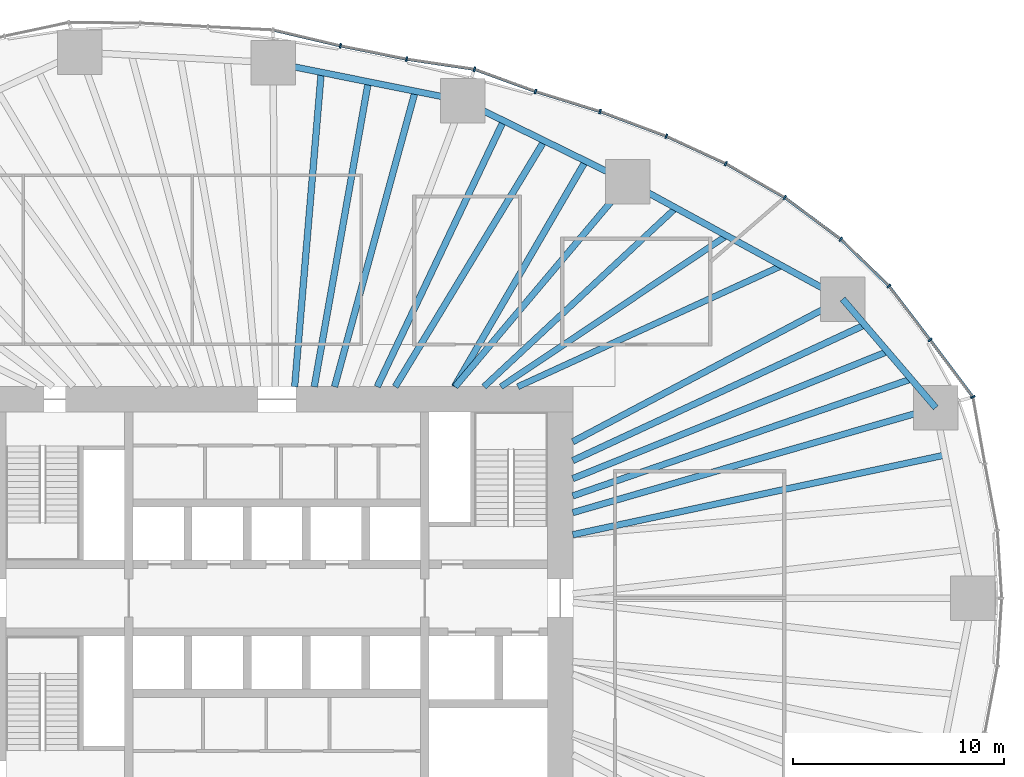
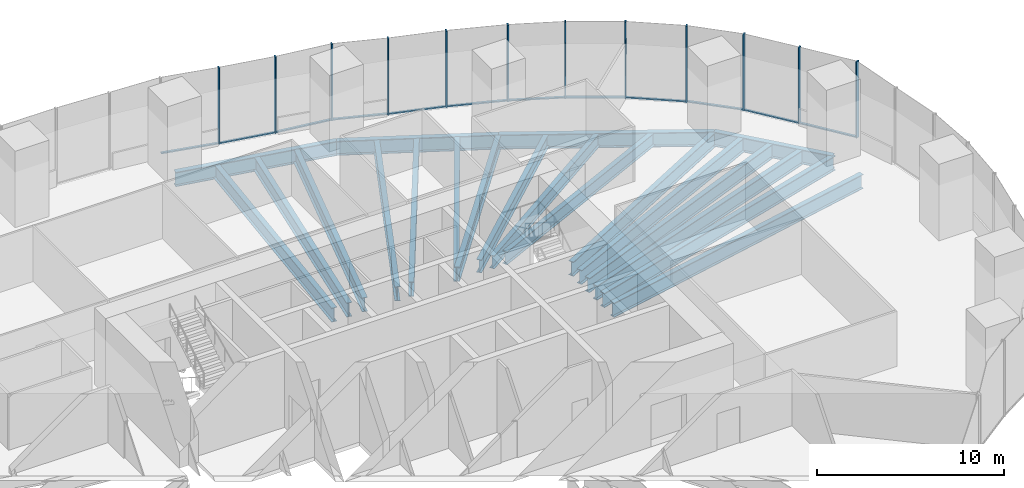
# One storey, part 6 of 20: 24 members, 20 beams, 4 elements without a shape of their own.
"""IFC4 building model written with IfcOpenShell, lengths in metres."""

from ifc_helpers import new_model, si_unit, direction, frame, origin, origin_2d, place, context, subcontext, project, spatial, rectangle, i_section, extrude, material, material_profile, profile_set, type_object, element, aggregate, save


model = new_model("IFC4")

# Units and contexts
model_context = context("Model", 3, precision=1e-05, world=origin(), true_north=direction((0.0, 1.0)))
body_context = subcontext(model_context, "Body", "Model", "MODEL_VIEW")
ifc_project = project(units=[si_unit("LENGTHUNIT", "METRE"), si_unit("AREAUNIT", "SQUARE_METRE"), si_unit("VOLUMEUNIT", "CUBIC_METRE"), si_unit("PLANEANGLEUNIT", "RADIAN"), si_unit("MASSUNIT", "GRAM", prefix="KILO")], contexts=[model_context])

# Site, building, storey
site_placement = place(None, origin())
site = spatial("IfcSite", under=ifc_project, at=site_placement, CompositionType="ELEMENT")
building_placement = place(site_placement, origin())
building = spatial("IfcBuilding", under=site, at=building_placement, Name="Ghaith Harvest Tower", CompositionType="ELEMENT")
storey_placement = place(building_placement, frame((0.0, 0.0, 35.0)))
storey = spatial("IfcBuildingStorey", under=building, at=storey_placement, Name="L07", CompositionType="ELEMENT", Elevation=35.0)

# Curtain wall, members
ifc_material_1 = material(Name="Black anodised aluminium and fritted glass", Category="aluminium")
curtain_wall_type = type_object("IfcCurtainWallType", Name="CW-F CURTAIN WALL", PredefinedType="NOTDEFINED", material=ifc_material_1)
curtain_wall_1_placement = place(storey_placement, origin())
curtain_wall_1 = element("IfcCurtainWall", 1, at=curtain_wall_1_placement, inside=storey, type_object=curtain_wall_type, Name="Curtain wall CW-F bay 02 L07", PredefinedType="NOTDEFINED")
ifc_material_2 = material(Name="Aluminium, black anodised", Category="aluminium")
ifc_material_profile_1 = material_profile(ifc_material_2, rectangle(XDim=0.080078125, YDim=0.219970703125, at=origin_2d()), Name="CW-F MULLION 80x220")
ifc_profile_set_1 = profile_set([ifc_material_profile_1], Name="Aluminium, black anodised")
member_type_1 = type_object("IfcMemberType", Name="CW-F MULLION 80x220", PredefinedType="MULLION", material=ifc_profile_set_1)
member_1_placement = place(storey_placement, frame((32.923583984375, 9.515625, 0.0), z_axis=(0.0, 0.0, 1.0), x_axis=(-0.404701693729, 0.914448762421, 0.0)))
member_1 = element("IfcMember", 2, at=member_1_placement, type_object=member_type_1, Name="CW-F mullion 1 bay 02 L07", PredefinedType="MULLION", context=body_context, shape_type="SweptSolid", body=[
    extrude(rectangle(XDim=0.080078125, YDim=0.219970703125, at=origin_2d()), origin(), (0.0, 0.0, 1.0), 5.0),
])
member_2_placement = place(storey_placement, frame((30.896728515625, 12.215087890625, 0.0), z_axis=(0.0, 0.0, 1.0), x_axis=(-0.603948315345, 0.797023482961, 0.0)))
member_2 = element("IfcMember", 3, at=member_2_placement, type_object=member_type_1, Name="CW-F mullion 2 bay 02 L07", PredefinedType="MULLION", context=body_context, shape_type="SweptSolid", body=[
    extrude(rectangle(XDim=0.080078125, YDim=0.219970703125, at=origin_2d()), origin(), (0.0, 0.0, 1.0), 5.0),
])
member_3_placement = place(storey_placement, frame((28.947021484375, 14.763427734375, 0.0), z_axis=(0.0, 0.0, 1.0), x_axis=(-0.663604797296, 0.748083332929, 0.0)))
member_3 = element("IfcMember", 4, at=member_3_placement, type_object=member_type_1, Name="CW-F mullion 3 bay 02 L07", PredefinedType="MULLION", context=body_context, shape_type="SweptSolid", body=[
    extrude(rectangle(XDim=0.080078125, YDim=0.219970703125, at=origin_2d()), origin(), (0.0, 0.0, 1.0), 5.0),
])

curtain_wall_2_placement = place(storey_placement, origin())
curtain_wall_2 = element("IfcCurtainWall", 5, at=curtain_wall_2_placement, inside=storey, type_object=curtain_wall_type, Name="Curtain wall CW-F bay 03 L07", PredefinedType="NOTDEFINED")
member_4_placement = place(storey_placement, frame((26.673828125, 16.9755859375, 0.0), z_axis=(0.0, 0.0, 1.0), x_axis=(-0.762365981091, 0.647146127915, 0.0)))
member_4 = element("IfcMember", 6, at=member_4_placement, type_object=member_type_1, Name="CW-F mullion 1 bay 03 L07", PredefinedType="MULLION", context=body_context, shape_type="SweptSolid", body=[
    extrude(rectangle(XDim=0.080078125, YDim=0.219970703125, at=origin_2d()), origin(), (0.0, 0.0, 1.0), 5.0),
])
member_5_placement = place(storey_placement, frame((24.018310546875, 18.947265625, 0.0), z_axis=(0.0, 0.0, 1.0), x_axis=(-0.835443516723, 0.549576318963, 0.0)))
member_5 = element("IfcMember", 7, at=member_5_placement, type_object=member_type_1, Name="CW-F mullion 2 bay 03 L07", PredefinedType="MULLION", context=body_context, shape_type="SweptSolid", body=[
    extrude(rectangle(XDim=0.080078125, YDim=0.219970703125, at=origin_2d()), origin(), (0.0, 0.0, 1.0), 5.0),
])
member_6_placement = place(storey_placement, frame((21.2353515625, 20.552978515625, 0.0), z_axis=(0.0, 0.0, 1.0), x_axis=(-0.887896671642, 0.460042933308, 0.0)))
member_6 = element("IfcMember", 8, at=member_6_placement, type_object=member_type_1, Name="CW-F mullion 3 bay 03 L07", PredefinedType="MULLION", context=body_context, shape_type="SweptSolid", body=[
    extrude(rectangle(XDim=0.080078125, YDim=0.219970703125, at=origin_2d()), origin(), (0.0, 0.0, 1.0), 5.0),
])

curtain_wall_3_placement = place(storey_placement, origin())
curtain_wall_3 = element("IfcCurtainWall", 9, at=curtain_wall_3_placement, inside=storey, type_object=curtain_wall_type, Name="Curtain wall CW-F bay 04 L07", PredefinedType="NOTDEFINED")
member_7_placement = place(storey_placement, frame((18.422607421875, 21.8466796875, 0.0), z_axis=(0.0, 0.0, 1.0), x_axis=(-0.923910199252, 0.382609387912, 0.0)))
member_7 = element("IfcMember", 10, at=member_7_placement, type_object=member_type_1, Name="CW-F mullion 1 bay 04 L07", PredefinedType="MULLION", context=body_context, shape_type="SweptSolid", body=[
    extrude(rectangle(XDim=0.080078125, YDim=0.219970703125, at=origin_2d()), origin(), (0.0, 0.0, 1.0), 5.0),
])
member_8_placement = place(storey_placement, frame((15.28759765625, 23.01611328125, 0.0), z_axis=(0.0, 0.0, 1.0), x_axis=(-0.946121020954, 0.323813238933, 0.0)))
member_8 = element("IfcMember", 11, at=member_8_placement, type_object=member_type_1, Name="CW-F mullion 2 bay 04 L07", PredefinedType="MULLION", context=body_context, shape_type="SweptSolid", body=[
    extrude(rectangle(XDim=0.080078125, YDim=0.219970703125, at=origin_2d()), origin(), (0.0, 0.0, 1.0), 5.0),
])
member_9_placement = place(storey_placement, frame((12.234375, 23.964599609375, 0.0), z_axis=(0.0, 0.0, 1.0), x_axis=(-0.947653438436, 0.319300736957, 0.0)))
member_9 = element("IfcMember", 12, at=member_9_placement, type_object=member_type_1, Name="CW-F mullion 3 bay 04 L07", PredefinedType="MULLION", context=body_context, shape_type="SweptSolid", body=[
    extrude(rectangle(XDim=0.080078125, YDim=0.219970703125, at=origin_2d()), origin(), (0.0, 0.0, 1.0), 5.0),
])

curtain_wall_4_placement = place(storey_placement, origin())
curtain_wall_4 = element("IfcCurtainWall", 13, at=curtain_wall_4_placement, inside=storey, type_object=curtain_wall_type, Name="Curtain wall CW-F bay 05 L07", PredefinedType="NOTDEFINED")
member_10_placement = place(storey_placement, frame((9.351806640625, 25.01611328125, 0.0), z_axis=(0.0, 0.0, 1.0), x_axis=(-0.969903429236, 0.243489913461, 0.0)))
member_10 = element("IfcMember", 14, at=member_10_placement, type_object=member_type_1, Name="CW-F mullion 1 bay 05 L07", PredefinedType="MULLION", context=body_context, shape_type="SweptSolid", body=[
    extrude(rectangle(XDim=0.080078125, YDim=0.219970703125, at=origin_2d()), origin(), (0.0, 0.0, 1.0), 5.0),
])
member_11_placement = place(storey_placement, frame((6.136962890625, 25.495361328125, 0.0), z_axis=(0.0, 0.0, 1.0), x_axis=(-0.985103843977, 0.171960508788, 0.0)))
member_11 = element("IfcMember", 15, at=member_11_placement, type_object=member_type_1, Name="CW-F mullion 2 bay 05 L07", PredefinedType="MULLION", context=body_context, shape_type="SweptSolid", body=[
    extrude(rectangle(XDim=0.080078125, YDim=0.219970703125, at=origin_2d()), origin(), (0.0, 0.0, 1.0), 5.0),
])
member_12_placement = place(storey_placement, frame((3.00927734375, 26.123291015625, 0.0), z_axis=(0.0, 0.0, 1.0), x_axis=(-0.976927332869, 0.213571969822, 0.0)))
member_12 = element("IfcMember", 16, at=member_12_placement, type_object=member_type_1, Name="CW-F mullion 3 bay 05 L07", PredefinedType="MULLION", context=body_context, shape_type="SweptSolid", body=[
    extrude(rectangle(XDim=0.080078125, YDim=0.219970703125, at=origin_2d()), origin(), (0.0, 0.0, 1.0), 5.0),
])

# Member
ifc_material_3 = material(Name="Aluminium, black anodised", Category="aluminium")
ifc_material_profile_2 = material_profile(ifc_material_3, rectangle(XDim=0.139892578125, YDim=0.080078125, at=origin_2d()), Name="CW-F TRANSOM 140x80")
ifc_profile_set_2 = profile_set([ifc_material_profile_2], Name="Aluminium, black anodised")
member_type_2 = type_object("IfcMemberType", Name="CW-F TRANSOM 140x80", PredefinedType="USERDEFINED", material=ifc_profile_set_2)
member_13_placement = place(storey_placement, frame((32.899658203125, 9.547607421875, 0.0400390625), z_axis=(-0.600462135687, 0.799653189581, 0.0), x_axis=(-0.799653189581, -0.600462135687, 0.0)))
member_13 = element("IfcMember", 17, at=member_13_placement, type_object=member_type_2, Name="CW-F transom 1 bay 02 L07", ObjectType="TRANSOM", PredefinedType="USERDEFINED", context=body_context, shape_type="SweptSolid", body=[
    extrude(rectangle(XDim=0.139892578125, YDim=0.080078125, at=origin_2d()), origin(), (0.0, 0.0, 1.0), 3.2958984375),
])

member_14_placement = place(storey_placement, frame((30.87255859375, 12.246826171875, 0.0400390625), z_axis=(-0.607638356471, 0.794213842579, 0.0), x_axis=(-0.794213842579, -0.607638356471, 0.0)))
member_14 = element("IfcMember", 18, at=member_14_placement, type_object=member_type_2, Name="CW-F transom 2 bay 02 L07", ObjectType="TRANSOM", PredefinedType="USERDEFINED", context=body_context, shape_type="SweptSolid", body=[
    extrude(rectangle(XDim=0.139892578125, YDim=0.080078125, at=origin_2d()), origin(), (0.0, 0.0, 1.0), 3.128662109375),
])

member_15_placement = place(storey_placement, frame((28.91845703125, 14.791259765625, 0.0400390625), z_axis=(-0.71671313139, 0.697368114623, 0.0), x_axis=(-0.697368114623, -0.71671313139, 0.0)))
member_15 = element("IfcMember", 19, at=member_15_placement, type_object=member_type_2, Name="CW-F transom 3 bay 02 L07", ObjectType="TRANSOM", PredefinedType="USERDEFINED", context=body_context, shape_type="SweptSolid", body=[
    extrude(rectangle(XDim=0.139892578125, YDim=0.080078125, at=origin_2d()), origin(), (0.0, 0.0, 1.0), 3.092041015625),
])

aggregate(curtain_wall_1, [member_1, member_13, member_2, member_14, member_3, member_15])

member_16_placement = place(storey_placement, frame((26.641845703125, 16.999267578125, 0.0400390625), z_axis=(-0.802877287823, 0.596144328748, 0.0), x_axis=(-0.596144328748, -0.802877287823, 0.0)))
member_16 = element("IfcMember", 20, at=member_16_placement, type_object=member_type_2, Name="CW-F transom 1 bay 03 L07", ObjectType="TRANSOM", PredefinedType="USERDEFINED", context=body_context, shape_type="SweptSolid", body=[
    extrude(rectangle(XDim=0.139892578125, YDim=0.080078125, at=origin_2d()), origin(), (0.0, 0.0, 1.0), 3.2275390625),
])

member_17_placement = place(storey_placement, frame((23.983642578125, 18.96728515625, 0.0400390625), z_axis=(-0.866168719914, 0.499751686983, 0.0), x_axis=(-0.499751686983, -0.866168719914, 0.0)))
member_17 = element("IfcMember", 21, at=member_17_placement, type_object=member_type_2, Name="CW-F transom 2 bay 03 L07", ObjectType="TRANSOM", PredefinedType="USERDEFINED", context=body_context, shape_type="SweptSolid", body=[
    extrude(rectangle(XDim=0.139892578125, YDim=0.080078125, at=origin_2d()), origin(), (0.0, 0.0, 1.0), 3.1328125),
])

member_18_placement = place(storey_placement, frame((21.19921875, 20.56982421875, 0.0400390625), z_axis=(-0.908553137239, 0.417769310521, 0.0), x_axis=(-0.417769310521, -0.908553137239, 0.0)))
member_18 = element("IfcMember", 22, at=member_18_placement, type_object=member_type_2, Name="CW-F transom 3 bay 03 L07", ObjectType="TRANSOM", PredefinedType="USERDEFINED", context=body_context, shape_type="SweptSolid", body=[
    extrude(rectangle(XDim=0.139892578125, YDim=0.080078125, at=origin_2d()), origin(), (0.0, 0.0, 1.0), 3.01611328125),
])

aggregate(curtain_wall_2, [member_4, member_16, member_5, member_17, member_6, member_18])

member_19_placement = place(storey_placement, frame((18.385009765625, 21.860595703125, 0.0400390625), z_axis=(-0.936923785579, 0.349533717996, 0.0), x_axis=(-0.349533717996, -0.936923785579, 0.0)))
member_19 = element("IfcMember", 23, at=member_19_placement, type_object=member_type_2, Name="CW-F transom 1 bay 04 L07", ObjectType="TRANSOM", PredefinedType="USERDEFINED", context=body_context, shape_type="SweptSolid", body=[
    extrude(rectangle(XDim=0.139892578125, YDim=0.080078125, at=origin_2d()), origin(), (0.0, 0.0, 1.0), 3.26611328125),
])

member_20_placement = place(storey_placement, frame((15.249267578125, 23.028076171875, 0.0400390625), z_axis=(-0.954998362353, 0.296611071781, 0.0), x_axis=(-0.296611071781, -0.954998362353, 0.0)))
member_20 = element("IfcMember", 24, at=member_20_placement, type_object=member_type_2, Name="CW-F transom 2 bay 04 L07", ObjectType="TRANSOM", PredefinedType="USERDEFINED", context=body_context, shape_type="SweptSolid", body=[
    extrude(rectangle(XDim=0.139892578125, YDim=0.080078125, at=origin_2d()), origin(), (0.0, 0.0, 1.0), 3.1171875),
])

member_21_placement = place(storey_placement, frame((12.19677734375, 23.978271484375, 0.0400390625), z_axis=(-0.939437502081, 0.342720264478, 0.0), x_axis=(-0.342720264478, -0.939437502081, 0.0)))
member_21 = element("IfcMember", 25, at=member_21_placement, type_object=member_type_2, Name="CW-F transom 3 bay 04 L07", ObjectType="TRANSOM", PredefinedType="USERDEFINED", context=body_context, shape_type="SweptSolid", body=[
    extrude(rectangle(XDim=0.139892578125, YDim=0.080078125, at=origin_2d()), origin(), (0.0, 0.0, 1.0), 2.98828125),
])

aggregate(curtain_wall_3, [member_7, member_19, member_8, member_20, member_9, member_21])

member_22_placement = place(storey_placement, frame((9.312255859375, 25.02197265625, 0.0400390625), z_axis=(-0.989078238205, 0.147391447207, 0.0), x_axis=(-0.147391447207, -0.989078238205, 0.0)))
member_22 = element("IfcMember", 26, at=member_22_placement, type_object=member_type_2, Name="CW-F transom 1 bay 05 L07", ObjectType="TRANSOM", PredefinedType="USERDEFINED", context=body_context, shape_type="SweptSolid", body=[
    extrude(rectangle(XDim=0.139892578125, YDim=0.080078125, at=origin_2d()), origin(), (0.0, 0.0, 1.0), 3.17041015625),
])

member_23_placement = place(storey_placement, frame((6.097900390625, 25.503173828125, 0.0400390625), z_axis=(-0.980432471193, 0.196855707129, 0.0), x_axis=(-0.196855707129, -0.980432471193, 0.0)))
member_23 = element("IfcMember", 27, at=member_23_placement, type_object=member_type_2, Name="CW-F transom 2 bay 05 L07", ObjectType="TRANSOM", PredefinedType="USERDEFINED", context=body_context, shape_type="SweptSolid", body=[
    extrude(rectangle(XDim=0.139892578125, YDim=0.080078125, at=origin_2d()), origin(), (0.0, 0.0, 1.0), 3.1103515625),
])

member_24_placement = place(storey_placement, frame((2.97021484375, 26.132568359375, 0.0400390625), z_axis=(-0.973252867589, 0.229736491942, 0.0), x_axis=(-0.229736491942, -0.973252867589, 0.0)))
member_24 = element("IfcMember", 28, at=member_24_placement, type_object=member_type_2, Name="CW-F transom 3 bay 05 L07", ObjectType="TRANSOM", PredefinedType="USERDEFINED", context=body_context, shape_type="SweptSolid", body=[
    extrude(rectangle(XDim=0.139892578125, YDim=0.080078125, at=origin_2d()), origin(), (0.0, 0.0, 1.0), 3.200927734375),
])

aggregate(curtain_wall_4, [member_10, member_22, member_11, member_23, member_12, member_24])

# Beams
ifc_material_4 = material(Name="Steel ASTM A992 Grade 50", Category="steel")
ifc_material_profile_3 = material_profile(ifc_material_4, i_section(OverallWidth=0.306884765625, OverallDepth=0.94189453125, WebThickness=0.022216796875, FlangeThickness=0.039794921875, at=origin_2d()), Name="W920X345")
ifc_profile_set_3 = profile_set([ifc_material_profile_3], Name="Steel ASTM A992 Grade 50")
beam_type_1 = type_object("IfcBeamType", Name="E920-345 W920X345", PredefinedType="SPANDREL", material=ifc_profile_set_3)
beam_1_placement = place(storey_placement, frame((31.166015625, 9.008056640625, -0.6708984375), z_axis=(-0.65056255283, 0.759452674533, 0.0), x_axis=(-0.759452674533, -0.65056255283, 0.0)))
element("IfcBeam", 29, at=beam_1_placement, inside=storey, type_object=beam_type_1, Name="Edge beam E02 L07", PredefinedType="SPANDREL", context=body_context, shape_type="SweptSolid", body=[
    extrude(i_section(OverallWidth=0.306884765625, OverallDepth=0.94189453125, WebThickness=0.022216796875, FlangeThickness=0.039794921875, at=origin_2d()), origin(), (0.0, 0.0, 1.0), 6.7666015625),
])
beam_2_placement = place(storey_placement, frame((26.763916015625, 14.14697265625, -0.6708984375), z_axis=(-0.877588218279, 0.479415184509, 0.0), x_axis=(-0.479415184509, -0.877588218279, 0.0)))
element("IfcBeam", 30, at=beam_2_placement, inside=storey, type_object=beam_type_1, Name="Edge beam E03 L07", PredefinedType="SPANDREL", context=body_context, shape_type="SweptSolid", body=[
    extrude(i_section(OverallWidth=0.306884765625, OverallDepth=0.94189453125, WebThickness=0.022216796875, FlangeThickness=0.039794921875, at=origin_2d()), origin(), (0.0, 0.0, 1.0), 11.57275390625),
])
beam_3_placement = place(storey_placement, frame((16.60791015625, 19.695068359375, -0.6708984375), z_axis=(-0.897823733825, 0.440355019252, 0.0), x_axis=(-0.440355019252, -0.897823733825, 0.0)))
element("IfcBeam", 31, at=beam_3_placement, inside=storey, type_object=beam_type_1, Name="Edge beam E04 L07", PredefinedType="SPANDREL", context=body_context, shape_type="SweptSolid", body=[
    extrude(i_section(OverallWidth=0.306884765625, OverallDepth=0.94189453125, WebThickness=0.022216796875, FlangeThickness=0.039794921875, at=origin_2d()), origin(), (0.0, 0.0, 1.0), 8.7021484375),
])
beam_4_placement = place(storey_placement, frame((8.794921875, 23.527099609375, -0.6708984375), z_axis=(-0.980450082464, 0.196767974517, 0.0), x_axis=(-0.196767974517, -0.980450082464, 0.0)))
element("IfcBeam", 32, at=beam_4_placement, inside=storey, type_object=beam_type_1, Name="Edge beam E05 L07", PredefinedType="SPANDREL", context=body_context, shape_type="SweptSolid", body=[
    extrude(i_section(OverallWidth=0.306884765625, OverallDepth=0.94189453125, WebThickness=0.022216796875, FlangeThickness=0.039794921875, at=origin_2d()), origin(), (0.0, 0.0, 1.0), 9.146728515625),
])
ifc_material_5 = material(Name="Steel ASTM A992 Grade 50", Category="steel")
ifc_material_profile_4 = material_profile(ifc_material_5, i_section(OverallWidth=0.306884765625, OverallDepth=0.94189453125, WebThickness=0.022216796875, FlangeThickness=0.039794921875, at=origin_2d()), Name="W920X345")
ifc_profile_set_4 = profile_set([ifc_material_profile_4], Name="Steel ASTM A992 Grade 50")
beam_type_2 = type_object("IfcBeamType", Name="G920-345 W920X345", PredefinedType="BEAM", material=ifc_profile_set_4)
beam_5_placement = place(storey_placement, frame((14.0, 4.04638671875, -0.6708984375), z_axis=(0.960675395102, 0.277673882903, 0.0), x_axis=(-0.277673882903, 0.960675395102, 0.0)))
element("IfcBeam", 33, at=beam_5_placement, inside=storey, type_object=beam_type_2, Name="Radial girder G02 L07", PredefinedType="BEAM", context=body_context, shape_type="SweptSolid", body=[
    extrude(i_section(OverallWidth=0.306884765625, OverallDepth=0.94189453125, WebThickness=0.022216796875, FlangeThickness=0.039794921875, at=origin_2d()), origin(), (0.0, 0.0, 1.0), 17.86865234375),
])
beam_6_placement = place(storey_placement, frame((14.0, 7.39990234375, -0.6708984375), z_axis=(0.884082663971, 0.467330550324, 0.0), x_axis=(-0.467330550324, 0.884082663971, 0.0)))
element("IfcBeam", 34, at=beam_6_placement, inside=storey, type_object=beam_type_2, Name="Radial girder G03 L07", PredefinedType="BEAM", context=body_context, shape_type="SweptSolid", body=[
    extrude(i_section(OverallWidth=0.306884765625, OverallDepth=0.94189453125, WebThickness=0.022216796875, FlangeThickness=0.039794921875, at=origin_2d()), origin(), (0.0, 0.0, 1.0), 14.4375),
])
beam_7_placement = place(storey_placement, frame((8.4326171875, 10.0, -0.6708984375), z_axis=(0.644644245772, 0.764482698557, 0.0), x_axis=(-0.764482698557, 0.644644245772, 0.0)))
element("IfcBeam", 35, at=beam_7_placement, inside=storey, type_object=beam_type_2, Name="Radial girder G04 L07", PredefinedType="BEAM", context=body_context, shape_type="SweptSolid", body=[
    extrude(i_section(OverallWidth=0.306884765625, OverallDepth=0.94189453125, WebThickness=0.022216796875, FlangeThickness=0.039794921875, at=origin_2d()), origin(), (0.0, 0.0, 1.0), 12.681884765625),
])
ifc_material_6 = material(Name="Steel ASTM A992 Grade 50", Category="steel")
ifc_material_profile_5 = material_profile(ifc_material_6, i_section(OverallWidth=0.2939453125, OverallDepth=0.85107421875, WebThickness=0.01611328125, FlangeThickness=0.02685546875, at=origin_2d()), Name="W840X226")
ifc_profile_set_5 = profile_set([ifc_material_profile_5], Name="Steel ASTM A992 Grade 50")
beam_type_3 = type_object("IfcBeamType", Name="J840-226 W840X226", PredefinedType="JOIST", material=ifc_profile_set_5)
beam_8_placement = place(storey_placement, frame((11.39990234375, 10.0, -0.62548828125), z_axis=(0.909014022454, 0.416765529983, 0.0), x_axis=(-0.416765529983, 0.909014022454, 0.0)))
element("IfcBeam", 36, at=beam_8_placement, inside=storey, type_object=beam_type_3, Name="Joist J03.1 L07", PredefinedType="JOIST", context=body_context, shape_type="SweptSolid", body=[
    extrude(i_section(OverallWidth=0.2939453125, OverallDepth=0.85107421875, WebThickness=0.01611328125, FlangeThickness=0.02685546875, at=origin_2d()), origin(), (0.0, 0.0, 1.0), 13.72998046875),
])
beam_9_placement = place(storey_placement, frame((10.60009765625, 10.0, -0.62548828125), z_axis=(0.831116486766, 0.556098359489, 0.0), x_axis=(-0.556098359489, 0.831116486766, 0.0)))
element("IfcBeam", 37, at=beam_9_placement, inside=storey, type_object=beam_type_3, Name="Joist J03.2 L07", PredefinedType="JOIST", context=body_context, shape_type="SweptSolid", body=[
    extrude(i_section(OverallWidth=0.2939453125, OverallDepth=0.85107421875, WebThickness=0.01611328125, FlangeThickness=0.02685546875, at=origin_2d()), origin(), (0.0, 0.0, 1.0), 12.84716796875),
])
beam_10_placement = place(storey_placement, frame((9.800048828125, 10.0, -0.62548828125), z_axis=(0.731538123562, 0.681800538116, 0.0), x_axis=(-0.681800538116, 0.731538123562, 0.0)))
element("IfcBeam", 38, at=beam_10_placement, inside=storey, type_object=beam_type_3, Name="Joist J03.3 L07", PredefinedType="JOIST", context=body_context, shape_type="SweptSolid", body=[
    extrude(i_section(OverallWidth=0.2939453125, OverallDepth=0.85107421875, WebThickness=0.01611328125, FlangeThickness=0.02685546875, at=origin_2d()), origin(), (0.0, 0.0, 1.0), 12.404052734375),
])
ifc_material_7 = material(Name="Steel ASTM A992 Grade 50", Category="steel")
ifc_material_profile_6 = material_profile(ifc_material_7, i_section(OverallWidth=0.31005859375, OverallDepth=0.927001953125, WebThickness=0.019287109375, FlangeThickness=0.031982421875, at=origin_2d()), Name="W920X289")
ifc_profile_set_6 = profile_set([ifc_material_profile_6], Name="Steel ASTM A992 Grade 50")
beam_type_4 = type_object("IfcBeamType", Name="J920-289 W920X289", PredefinedType="JOIST", material=ifc_profile_set_6)
beam_11_placement = place(storey_placement, frame((14.0, 6.506103515625, -0.66357421875), z_axis=(0.906862619792, 0.421426374144, 0.0), x_axis=(-0.421426374144, 0.906862619792, 0.0)))
element("IfcBeam", 39, at=beam_11_placement, inside=storey, type_object=beam_type_4, Name="Joist J02.3 L07", PredefinedType="JOIST", context=body_context, shape_type="SweptSolid", body=[
    extrude(i_section(OverallWidth=0.31005859375, OverallDepth=0.927001953125, WebThickness=0.019287109375, FlangeThickness=0.031982421875, at=origin_2d()), origin(), (0.0, 0.0, 1.0), 15.229736328125),
])
beam_12_placement = place(storey_placement, frame((8.39990234375, 10.0, -0.66357421875), z_axis=(0.50228574324, 0.864701701246, 0.0), x_axis=(-0.864701701246, 0.50228574324, 0.0)))
element("IfcBeam", 40, at=beam_12_placement, inside=storey, type_object=beam_type_4, Name="Joist J04.1 L07", PredefinedType="JOIST", context=body_context, shape_type="SweptSolid", body=[
    extrude(i_section(OverallWidth=0.31005859375, OverallDepth=0.927001953125, WebThickness=0.019287109375, FlangeThickness=0.031982421875, at=origin_2d()), origin(), (0.0, 0.0, 1.0), 12.349365234375),
])
beam_13_placement = place(storey_placement, frame((5.60009765625, 10.0, -0.66357421875), z_axis=(0.518319612023, 0.85518698528, 0.0), x_axis=(-0.85518698528, 0.518319612023, 0.0)))
element("IfcBeam", 41, at=beam_13_placement, inside=storey, type_object=beam_type_4, Name="Joist J04.2 L07", PredefinedType="JOIST", context=body_context, shape_type="SweptSolid", body=[
    extrude(i_section(OverallWidth=0.31005859375, OverallDepth=0.927001953125, WebThickness=0.019287109375, FlangeThickness=0.031982421875, at=origin_2d()), origin(), (0.0, 0.0, 1.0), 13.60546875),
])
beam_14_placement = place(storey_placement, frame((4.75, 10.0, -0.66357421875), z_axis=(0.429059675117, 0.903276145588, 0.0), x_axis=(-0.903276145588, 0.429059675117, 0.0)))
element("IfcBeam", 42, at=beam_14_placement, inside=storey, type_object=beam_type_4, Name="Joist J04.3 L07", PredefinedType="JOIST", context=body_context, shape_type="SweptSolid", body=[
    extrude(i_section(OverallWidth=0.31005859375, OverallDepth=0.927001953125, WebThickness=0.019287109375, FlangeThickness=0.031982421875, at=origin_2d()), origin(), (0.0, 0.0, 1.0), 13.92724609375),
])
beam_15_placement = place(storey_placement, frame((2.73095703125, 10.0, -0.66357421875), z_axis=(0.263455282447, 0.964671609487, 0.0), x_axis=(-0.964671609487, 0.263455282447, 0.0)))
element("IfcBeam", 43, at=beam_15_placement, inside=storey, type_object=beam_type_4, Name="Joist J05.1 L07", PredefinedType="JOIST", context=body_context, shape_type="SweptSolid", body=[
    extrude(i_section(OverallWidth=0.31005859375, OverallDepth=0.927001953125, WebThickness=0.019287109375, FlangeThickness=0.031982421875, at=origin_2d()), origin(), (0.0, 0.0, 1.0), 14.48974609375),
])
beam_16_placement = place(storey_placement, frame((1.772705078125, 10.0, -0.66357421875), z_axis=(0.174552574354, 0.984647855218, 0.0), x_axis=(-0.984647855218, 0.174552574354, 0.0)))
element("IfcBeam", 44, at=beam_16_placement, inside=storey, type_object=beam_type_4, Name="Joist J05.2 L07", PredefinedType="JOIST", context=body_context, shape_type="SweptSolid", body=[
    extrude(i_section(OverallWidth=0.31005859375, OverallDepth=0.927001953125, WebThickness=0.019287109375, FlangeThickness=0.031982421875, at=origin_2d()), origin(), (0.0, 0.0, 1.0), 14.648193359375),
])
beam_17_placement = place(storey_placement, frame((0.844970703125, 10.0, -0.66357421875), z_axis=(0.084219252187, 0.996447247756, 0.0), x_axis=(-0.996447247756, 0.084219252187, 0.0)))
element("IfcBeam", 45, at=beam_17_placement, inside=storey, type_object=beam_type_4, Name="Joist J05.3 L07", PredefinedType="JOIST", context=body_context, shape_type="SweptSolid", body=[
    extrude(i_section(OverallWidth=0.31005859375, OverallDepth=0.927001953125, WebThickness=0.019287109375, FlangeThickness=0.031982421875, at=origin_2d()), origin(), (0.0, 0.0, 1.0), 14.92333984375),
])
ifc_material_8 = material(Name="Steel ASTM A992 Grade 50", Category="steel")
ifc_material_profile_7 = material_profile(ifc_material_8, i_section(OverallWidth=0.306884765625, OverallDepth=0.94189453125, WebThickness=0.022216796875, FlangeThickness=0.039794921875, at=origin_2d()), Name="W920X345")
ifc_profile_set_7 = profile_set([ifc_material_profile_7], Name="Steel ASTM A992 Grade 50")
beam_type_5 = type_object("IfcBeamType", Name="J920-345 W920X345", PredefinedType="JOIST", material=ifc_profile_set_7)
beam_18_placement = place(storey_placement, frame((14.0, 3.0, -0.6708984375), z_axis=(0.977831380626, 0.209393865869, 0.0), x_axis=(-0.209393865869, 0.977831380626, 0.0)))
element("IfcBeam", 46, at=beam_18_placement, inside=storey, type_object=beam_type_5, Name="Joist J01.3 L07", PredefinedType="JOIST", context=body_context, shape_type="SweptSolid", body=[
    extrude(i_section(OverallWidth=0.306884765625, OverallDepth=0.94189453125, WebThickness=0.022216796875, FlangeThickness=0.039794921875, at=origin_2d()), origin(), (0.0, 0.0, 1.0), 18.002197265625),
])
beam_19_placement = place(storey_placement, frame((14.0, 4.835693359375, -0.6708984375), z_axis=(0.945204767809, 0.326478095607, 0.0), x_axis=(-0.326478095607, 0.945204767809, 0.0)))
element("IfcBeam", 47, at=beam_19_placement, inside=storey, type_object=beam_type_5, Name="Joist J02.1 L07", PredefinedType="JOIST", context=body_context, shape_type="SweptSolid", body=[
    extrude(i_section(OverallWidth=0.306884765625, OverallDepth=0.94189453125, WebThickness=0.022216796875, FlangeThickness=0.039794921875, at=origin_2d()), origin(), (0.0, 0.0, 1.0), 16.932373046875),
])
beam_20_placement = place(storey_placement, frame((14.0, 5.653564453125, -0.6708984375), z_axis=(0.927252192145, 0.374437407536, 0.0), x_axis=(-0.374437407536, 0.927252192145, 0.0)))
element("IfcBeam", 48, at=beam_20_placement, inside=storey, type_object=beam_type_5, Name="Joist J02.2 L07", PredefinedType="JOIST", context=body_context, shape_type="SweptSolid", body=[
    extrude(i_section(OverallWidth=0.306884765625, OverallDepth=0.94189453125, WebThickness=0.022216796875, FlangeThickness=0.039794921875, at=origin_2d()), origin(), (0.0, 0.0, 1.0), 16.057373046875),
])

save(model, "model.ifc")
